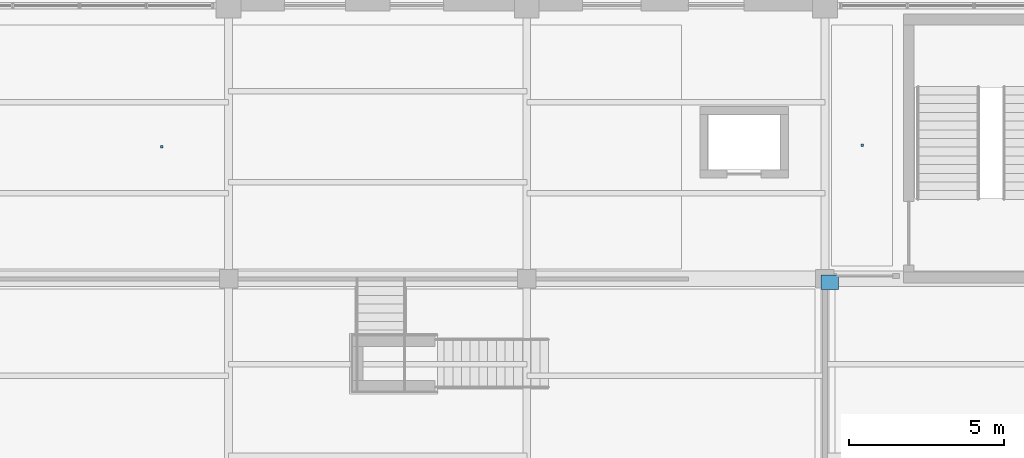
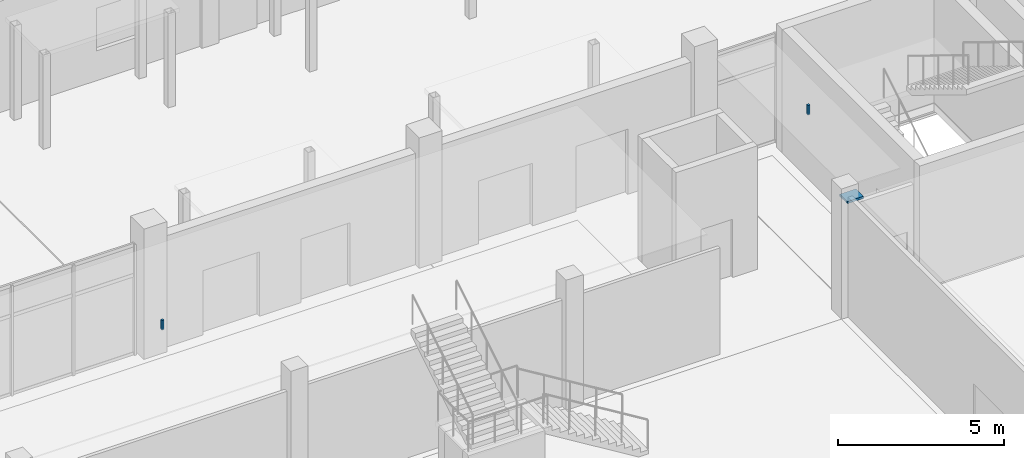
# One storey, part 98 of 116: 3 discrete accessories.
"""IFC4 building model written with IfcOpenShell, lengths in metres."""

import ifcopenshell
import ifcopenshell.guid

model = None  # the IFC model being written
_history = None  # IfcOwnerHistory: only IFC2X3 demands one
_inside = {}  # id of a spatial element -> (the spatial element, [elements in it])
_under = {}  # id of a project, library or spatial element -> (it, [spatial elements below it])
_declared = {}  # id of a project -> (the project, [libraries it declares])
_typed = {}  # id of a type object -> (the type object, [elements of that type])
_made_of = {}  # id of a material, layer set ... -> (it, [elements and type objects made of it])


def new_model(schema):
    """Start an empty IFC model of exactly this schema.

    Asked for "IFC4X3", IfcOpenShell would pick the latest addendum, in which some entities
    have other attributes; the version numbers below select the first issue.
    IFC2X3 requires an IfcOwnerHistory on every rooted entity: one is made here for all.
    """
    global model, _history
    if schema == "IFC4X3":
        model = ifcopenshell.file(schema_version=(4, 3, 0, 0))
    else:
        model = ifcopenshell.file(schema=schema)
    _inside.clear()
    _under.clear()
    _declared.clear()
    _typed.clear()
    _made_of.clear()
    _history = None
    if model.schema == "IFC2X3":
        org = make("IfcOrganization", Name="unknown")
        user = make(
            "IfcPersonAndOrganization",
            ThePerson=make("IfcPerson", FamilyName="unknown"),
            TheOrganization=org,
        )
        app = make(
            "IfcApplication",
            ApplicationDeveloper=org,
            Version="unknown",
            ApplicationFullName="unknown",
            ApplicationIdentifier="unknown",
        )
        _history = make(
            "IfcOwnerHistory",
            OwningUser=user,
            OwningApplication=app,
            ChangeAction="ADDED",
            CreationDate=0,
        )
    return model


def make(cls, **values):
    """One entity of the class cls with the attributes given. An attribute that is None is left unset."""
    return model.create_entity(
        cls, **{name: value for name, value in values.items() if value is not None}
    )


def rooted(cls, **values):
    """An entity with a GlobalId (a new one), such as an element, a storey or a relation."""
    return make(cls, GlobalId=ifcopenshell.guid.new(), OwnerHistory=_history, **values)


def si_unit(unit_type, name, prefix=None):
    """IfcSIUnit, for example si_unit("LENGTHUNIT", "METRE", prefix="MILLI")."""
    return make("IfcSIUnit", UnitType=unit_type, Prefix=prefix, Name=name)


def assignment(units):
    """IfcUnitAssignment: the units of a project."""
    return None if units is None else make("IfcUnitAssignment", Units=units)


def point(xyz):
    """IfcCartesianPoint."""
    return None if xyz is None else make("IfcCartesianPoint", Coordinates=xyz)


def direction(xyz):
    """IfcDirection."""
    return None if xyz is None else make("IfcDirection", DirectionRatios=xyz)


def frame(location, z_axis=None, x_axis=None):
    """IfcAxis2Placement3D, a coordinate frame: its origin and axes. An axis left out is left unset."""
    return make(
        "IfcAxis2Placement3D",
        Location=point(location),
        Axis=direction(z_axis),
        RefDirection=direction(x_axis),
    )


def frame_2d(location, x_axis=None):
    """IfcAxis2Placement2D, a coordinate frame in the plane: its origin and x axis."""
    return make(
        "IfcAxis2Placement2D", Location=point(location), RefDirection=direction(x_axis)
    )


def origin():
    """The frame at (0, 0, 0) with its axes left unset."""
    return frame((0.0, 0.0, 0.0))


def origin_2d():
    """The frame at (0, 0) in the plane with its x axis left unset."""
    return frame_2d((0.0, 0.0))


def place(relative_to, where):
    """IfcLocalPlacement: puts the frame where relative to a parent placement (None: the world)."""
    return make(
        "IfcLocalPlacement", PlacementRelTo=relative_to, RelativePlacement=where
    )


def context(
    kind, dimensions, precision=None, world=None, true_north=None, identifier=None
):
    """IfcGeometricRepresentationContext, for example the 3D "Model" context."""
    return make(
        "IfcGeometricRepresentationContext",
        ContextIdentifier=identifier,
        ContextType=kind,
        CoordinateSpaceDimension=dimensions,
        Precision=precision,
        WorldCoordinateSystem=world,
        TrueNorth=true_north,
    )


def subcontext(parent, identifier, kind, view, scale=None):
    """IfcGeometricRepresentationSubContext, for example "Body" below "Model"."""
    return make(
        "IfcGeometricRepresentationSubContext",
        ContextIdentifier=identifier,
        ContextType=kind,
        ParentContext=parent,
        TargetScale=scale,
        TargetView=view,
    )


def project(units=None, contexts=None):
    """IfcProject with its units and contexts."""
    return rooted(
        "IfcProject",
        Name="project",
        RepresentationContexts=contexts,
        UnitsInContext=assignment(units),
    )


def spatial(cls, under=None, at=None, **own):
    """A site, building, storey or space (cls), placed at a placement, below another one or the project."""
    s = rooted(cls, ObjectPlacement=at, **own)
    if under is not None:
        _under.setdefault(under.id(), (under, []))[1].append(s)
    return s


def profile(cls, at=None, kind="AREA", **sizes):
    """A parametric profile (cls). Its sizes go by their IFC names, for example OverallWidth=200.0."""
    return make(cls, ProfileType=kind, Position=at, **sizes)


def rectangle(**sizes):
    """IfcRectangleProfileDef."""
    return profile("IfcRectangleProfileDef", **sizes)


def extrude(swept, where, along, depth):
    """IfcExtrudedAreaSolid: the profile swept, set in the frame where, extruded along a direction by depth."""
    return make(
        "IfcExtrudedAreaSolid",
        SweptArea=swept,
        Position=where,
        ExtrudedDirection=direction(along),
        Depth=depth,
    )


def shape(context_of_items, identifier, shape_type, items):
    """IfcShapeRepresentation: the items that make up one representation, for example the "Body"."""
    return make(
        "IfcShapeRepresentation",
        ContextOfItems=context_of_items,
        RepresentationIdentifier=identifier,
        RepresentationType=shape_type,
        Items=items,
    )


def material(Name=None, Category=None):
    """IfcMaterial."""
    return make("IfcMaterial", Name=Name, Category=Category)


def made_of(thing, what):
    """Note that an element or type object is made of a material, layer set ...; save() writes the relation."""
    if what is not None:
        _made_of.setdefault(what.id(), (what, []))[1].append(thing)
    return thing


def type_object(cls, material=None, **own):
    """A type object (cls), such as IfcWallType, which elements share."""
    return made_of(rooted(cls, **own), material)


def element(
    cls,
    number,
    at=None,
    inside=None,
    cuts=None,
    type_object=None,
    material=None,
    context=None,
    identifier="Body",
    shape_type=None,
    held_by="IfcProductDefinitionShape",
    body=None,
    shapes=None,
    **own,
):
    """One element of the class cls, such as IfcWall. Its Tag is "e" and its number.

    at: its placement. inside: the storey or other place that contains it. cuts: it is an
    opening in that element (IfcRelVoidsElement). A single representation is given by context,
    identifier, shape_type and body (its items); several are given by shapes. held_by: the class
    of the entity that holds the representations. save() writes the other relations.
    """
    e = rooted(cls, Tag="e%d" % number, ObjectPlacement=at, **own)
    if body is not None:
        shapes = [shape(context, identifier, shape_type, body)]
    if shapes is not None:
        e.Representation = make(held_by, Representations=shapes)
    if inside is not None:
        _inside.setdefault(inside.id(), (inside, []))[1].append(e)
    if cuts is not None:
        rooted(
            "IfcRelVoidsElement", RelatingBuildingElement=cuts, RelatedOpeningElement=e
        )
    if type_object is not None:
        _typed.setdefault(type_object.id(), (type_object, []))[1].append(e)
    return made_of(e, material)


def aggregate(whole, parts):
    """IfcRelAggregates: a whole, such as a stair, and the parts it consists of."""
    return rooted("IfcRelAggregates", RelatingObject=whole, RelatedObjects=parts)


def save(model, path):
    """Write the relations noted so far, then the file.

    IfcRelAggregates (storeys below a building ...), IfcRelContainedInSpatialStructure (elements
    in a storey), IfcRelDefinesByType, IfcRelAssociatesMaterial and IfcRelDeclares: one each for
    every whole, place, type object, material and project.
    """
    for whole, parts in _under.values():
        aggregate(whole, parts)
    for where, things in _inside.values():
        rooted(
            "IfcRelContainedInSpatialStructure",
            RelatedElements=things,
            RelatingStructure=where,
        )
    for kind, things in _typed.values():
        rooted("IfcRelDefinesByType", RelatedObjects=things, RelatingType=kind)
    for what, things in _made_of.values():
        rooted("IfcRelAssociatesMaterial", RelatedObjects=things, RelatingMaterial=what)
    for by, libraries in _declared.values():
        rooted("IfcRelDeclares", RelatingContext=by, RelatedDefinitions=libraries)
    model.write(path)


model = new_model("IFC4")

# Units and contexts
model_context = context("Model", 3, precision=1e-05, world=origin(), true_north=direction((0.0, 1.0)))
body_context = subcontext(model_context, "Body", "Model", "MODEL_VIEW")
ifc_project = project(units=[si_unit("LENGTHUNIT", "METRE"), si_unit("AREAUNIT", "SQUARE_METRE"), si_unit("VOLUMEUNIT", "CUBIC_METRE"), si_unit("PLANEANGLEUNIT", "RADIAN"), si_unit("MASSUNIT", "GRAM", prefix="KILO")], contexts=[model_context])

# Site, building, storey
site_placement = place(None, origin())
site = spatial("IfcSite", under=ifc_project, at=site_placement, CompositionType="ELEMENT")
building_placement = place(site_placement, origin())
building = spatial("IfcBuilding", under=site, at=building_placement, Name="Chalmorin Arch Market", CompositionType="ELEMENT")
storey_placement = place(building_placement, origin())
storey = spatial("IfcBuildingStorey", under=building, at=storey_placement, Name="L00", CompositionType="ELEMENT", Elevation=0.0)

# Discrete accessories
ifc_material = material(Name="Galvanized Cold-Formed Steel", Category="steel")
discrete_accessory_type = type_object("IfcDiscreteAccessoryType", Name="CeilingSuspensionBracket-80x80", PredefinedType="BRACKET", material=ifc_material)
discrete_accessory_1_placement = place(storey_placement, frame((93.85009765625, 54.25, 4.2529296875), z_axis=(0.0, 0.0, 1.0), x_axis=(1.0, 0.0, 0.0)))
element("IfcDiscreteAccessory", 1, at=discrete_accessory_1_placement, inside=storey, type_object=discrete_accessory_type, Name="CSB-065", PredefinedType="BRACKET", context=body_context, shape_type="SweptSolid", body=[
    extrude(rectangle(XDim=0.080078125, YDim=0.080078125, at=origin_2d()), origin(), (0.0, 0.0, 1.0), 0.346923828125),
])
discrete_accessory_2_placement = place(storey_placement, frame((115.360107421875, 49.889892578125, 4.217529296875), z_axis=(0.0, 0.0, 1.0), x_axis=(1.0, 0.0, 0.0)))
element("IfcDiscreteAccessory", 2, at=discrete_accessory_2_placement, inside=storey, type_object=discrete_accessory_type, Name="CSB-073", PredefinedType="BRACKET", context=body_context, shape_type="SweptSolid", body=[
    extrude(rectangle(XDim=0.56005859375, YDim=0.4599609375, at=origin_2d()), origin(), (0.0, 0.0, 1.0), 0.080078125),
])
discrete_accessory_3_placement = place(storey_placement, frame((116.39990234375, 54.300048828125, 4.2529296875), z_axis=(0.0, 0.0, 1.0), x_axis=(1.0, 0.0, 0.0)))
element("IfcDiscreteAccessory", 3, at=discrete_accessory_3_placement, inside=storey, type_object=discrete_accessory_type, Name="CSB-075", PredefinedType="BRACKET", context=body_context, shape_type="SweptSolid", body=[
    extrude(rectangle(XDim=0.080078125, YDim=0.080078125, at=origin_2d()), origin(), (0.0, 0.0, 1.0), 0.346923828125),
])

save(model, "model.ifc")
